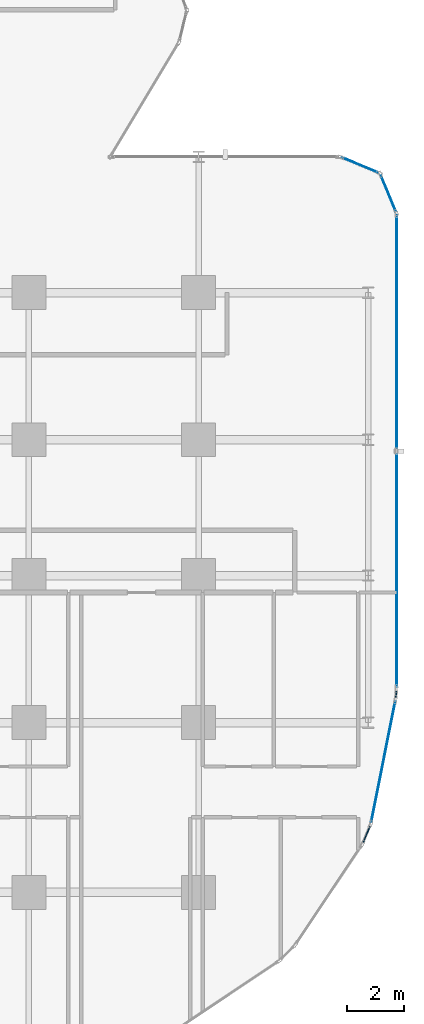
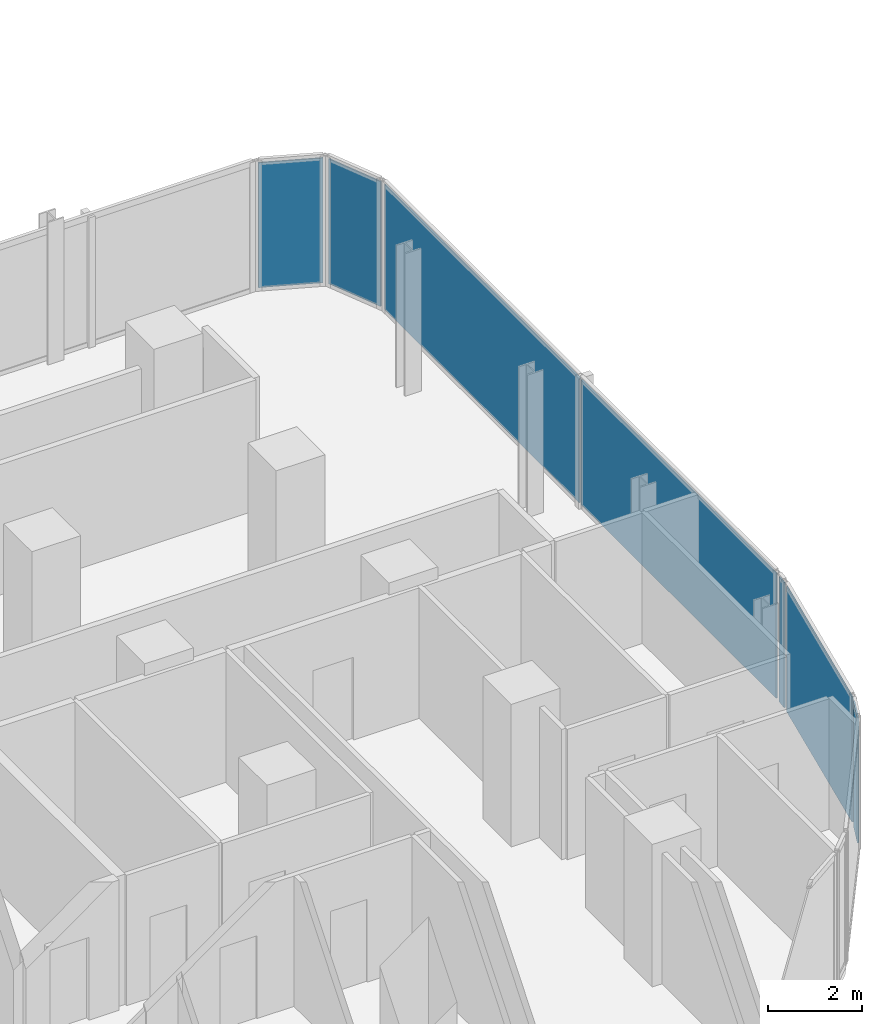
# One storey, part 25 of 34: 7 plates, 6 elements without a shape of their own.
"""IFC4 building model written with IfcOpenShell, lengths in metres."""

from ifc_helpers import new_model, si_unit, direction, frame, origin, origin_2d, place, context, subcontext, project, spatial, rectangle, extrude, material, layer, layer_set, type_object, element, aggregate, save


model = new_model("IFC4")

# Units and contexts
model_context = context("Model", 3, precision=1e-05, world=origin(), true_north=direction((0.0, 1.0)))
body_context = subcontext(model_context, "Body", "Model", "MODEL_VIEW")
ifc_project = project(units=[si_unit("LENGTHUNIT", "METRE"), si_unit("AREAUNIT", "SQUARE_METRE"), si_unit("VOLUMEUNIT", "CUBIC_METRE"), si_unit("PLANEANGLEUNIT", "RADIAN"), si_unit("MASSUNIT", "GRAM", prefix="KILO")], contexts=[model_context])

# Site, building, storey
site_placement = place(None, origin())
site = spatial("IfcSite", under=ifc_project, at=site_placement, CompositionType="ELEMENT")
building_placement = place(site_placement, origin())
building = spatial("IfcBuilding", under=site, at=building_placement, Name="Keshet Zoharim Tower", CompositionType="ELEMENT")
storey_placement = place(building_placement, frame((0.0, 0.0, 53.60009765625)))
storey = spatial("IfcBuildingStorey", under=building, at=storey_placement, Name="L12", CompositionType="ELEMENT", Elevation=53.60009765625)

# Curtain wall, plate
ifc_material_1 = material(Name="Aluminium 6063-T6", Category="aluminium")
ifc_layer_1 = layer(ifc_material_1, 0.179931640625)
ifc_layer_set_1 = layer_set([ifc_layer_1], Name="Aluminium 6063-T6")
curtain_wall_type_1 = type_object("IfcCurtainWallType", Name="CW-SYS-01", PredefinedType="NOTDEFINED", material=ifc_layer_set_1)
curtain_wall_1_placement = place(storey_placement, origin())
curtain_wall_1 = element("IfcCurtainWall", 1, at=curtain_wall_1_placement, inside=storey, type_object=curtain_wall_type_1, Name="L12 Unitised Curtain Wall 19", PredefinedType="NOTDEFINED")
ifc_material_2 = material(Name="Insulated Low-E Clear Glass", Category="glass")
ifc_layer_2 = layer(ifc_material_2, 0.035888671875)
ifc_layer_set_2 = layer_set([ifc_layer_2], Name="Insulated Low-E Clear Glass")
plate_type_1 = type_object("IfcPlateType", Name="CWP-01", PredefinedType="CURTAIN_PANEL", material=ifc_layer_set_2)
plate_1_placement = place(storey_placement, frame((68.9384765625, 8.75439453125, 0.06982421875), z_axis=(0.0, 0.0, 1.0), x_axis=(-0.383068349739, -0.923720000557, 0.0)))
plate_1 = element("IfcPlate", 2, at=plate_1_placement, type_object=plate_type_1, Name="CW-01 panel 1.1", PredefinedType="CURTAIN_PANEL", context=body_context, shape_type="SweptSolid", body=[
    extrude(rectangle(XDim=0.640625, YDim=0.035888671875, at=origin_2d()), origin(), (0.0, 0.0, 1.0), 3.2451171875),
])
aggregate(curtain_wall_1, [plate_1])

ifc_layer_3 = layer(ifc_material_1, 0.169921875)
ifc_layer_set_3 = layer_set([ifc_layer_3], Name="Aluminium 6063-T6")
curtain_wall_type_2 = type_object("IfcCurtainWallType", Name="CW-SYS-02", PredefinedType="NOTDEFINED", material=ifc_layer_set_3)
curtain_wall_2_placement = place(storey_placement, origin())
curtain_wall_2 = element("IfcCurtainWall", 3, at=curtain_wall_2_placement, inside=storey, type_object=curtain_wall_type_2, Name="L12 Unitised Curtain Wall 14", PredefinedType="NOTDEFINED")
ifc_layer_4 = layer(ifc_material_2, 0.031982421875)
ifc_layer_set_4 = layer_set([ifc_layer_4], Name="Insulated Low-E Clear Glass")
plate_type_2 = type_object("IfcPlateType", Name="CWP-02", PredefinedType="CURTAIN_PANEL", material=ifc_layer_set_4)
plate_2_placement = place(storey_placement, frame((68.70703125, 32.406982421875, 0.06982421875), z_axis=(0.0, 0.0, 1.0), x_axis=(0.92380975372, -0.382851849847, 0.0)))
plate_2 = element("IfcPlate", 4, at=plate_2_placement, type_object=plate_type_2, Name="CW-02 panel 1.1", PredefinedType="CURTAIN_PANEL", context=body_context, shape_type="SweptSolid", body=[
    extrude(rectangle(XDim=1.390625, YDim=0.031982421875, at=origin_2d()), origin(), (0.0, 0.0, 1.0), 3.2451171875),
])
aggregate(curtain_wall_2, [plate_2])

curtain_wall_3_placement = place(storey_placement, origin())
curtain_wall_3 = element("IfcCurtainWall", 5, at=curtain_wall_3_placement, inside=storey, type_object=curtain_wall_type_2, Name="L12 Unitised Curtain Wall 15", PredefinedType="NOTDEFINED")
plate_3_placement = place(storey_placement, frame((69.70703125, 31.406982421875, 0.06982421875), z_axis=(0.0, 0.0, 1.0), x_axis=(0.382851849847, -0.92380975372, 0.0)))
plate_3 = element("IfcPlate", 6, at=plate_3_placement, type_object=plate_type_2, Name="CW-02 panel 1.1", PredefinedType="CURTAIN_PANEL", context=body_context, shape_type="SweptSolid", body=[
    extrude(rectangle(XDim=1.390625, YDim=0.031982421875, at=origin_2d()), origin(), (0.0, 0.0, 1.0), 3.2451171875),
])
aggregate(curtain_wall_3, [plate_3])

# Curtain wall, plates
curtain_wall_4_placement = place(storey_placement, origin())
curtain_wall_4 = element("IfcCurtainWall", 7, at=curtain_wall_4_placement, inside=storey, type_object=curtain_wall_type_2, Name="L12 Unitised Curtain Wall 16", PredefinedType="NOTDEFINED")
plate_4_placement = place(storey_placement, frame((70.0, 26.481689453125, 0.06982421875), z_axis=(0.0, 0.0, 1.0), x_axis=(0.0, -1.0, 0.0)))
plate_4 = element("IfcPlate", 8, at=plate_4_placement, type_object=plate_type_2, Name="CW-02 panel 1.1", PredefinedType="CURTAIN_PANEL", context=body_context, shape_type="SweptSolid", body=[
    extrude(rectangle(XDim=8.29638671875, YDim=0.031982421875, at=origin_2d()), origin(), (0.0, 0.0, 1.0), 3.2451171875),
])
plate_5_placement = place(storey_placement, frame((70.0, 18.115234375, 0.06982421875), z_axis=(0.0, 0.0, 1.0), x_axis=(0.0, -1.0, 0.0)))
plate_5 = element("IfcPlate", 9, at=plate_5_placement, type_object=plate_type_2, Name="CW-02 panel 2.1", PredefinedType="CURTAIN_PANEL", context=body_context, shape_type="SweptSolid", body=[
    extrude(rectangle(XDim=8.29638671875, YDim=0.031982421875, at=origin_2d()), origin(), (0.0, 0.0, 1.0), 3.2451171875),
])
aggregate(curtain_wall_4, [plate_4, plate_5])

# Curtain wall, plate
curtain_wall_5_placement = place(storey_placement, origin())
curtain_wall_5 = element("IfcCurtainWall", 10, at=curtain_wall_5_placement, inside=storey, type_object=curtain_wall_type_2, Name="L12 Unitised Curtain Wall 17", PredefinedType="NOTDEFINED")
plate_6_placement = place(storey_placement, frame((69.98095703125, 13.701904296875, 0.06982421875), z_axis=(0.0, 0.0, 1.0), x_axis=(-0.096976648633, -0.995286657009, 0.0)))
plate_6 = element("IfcPlate", 11, at=plate_6_placement, type_object=plate_type_2, Name="CW-02 panel 1.1", PredefinedType="CURTAIN_PANEL", context=body_context, shape_type="SweptSolid", body=[
    extrude(rectangle(XDim=0.251953125, YDim=0.031982421875, at=origin_2d()), origin(), (0.0, 0.0, 1.0), 3.2451171875),
])
aggregate(curtain_wall_5, [plate_6])

curtain_wall_6_placement = place(storey_placement, origin())
curtain_wall_6 = element("IfcCurtainWall", 12, at=curtain_wall_6_placement, inside=storey, type_object=curtain_wall_type_2, Name="L12 Unitised Curtain Wall 18", PredefinedType="NOTDEFINED")
plate_7_placement = place(storey_placement, frame((69.52490234375, 11.31103515625, 0.06982421875), z_axis=(0.0, 0.0, 1.0), x_axis=(-0.195171279072, -0.98076917357, 0.0)))
plate_7 = element("IfcPlate", 13, at=plate_7_placement, type_object=plate_type_2, Name="CW-02 panel 1.1", PredefinedType="CURTAIN_PANEL", context=body_context, shape_type="SweptSolid", body=[
    extrude(rectangle(XDim=4.338134765625, YDim=0.031982421875, at=origin_2d()), origin(), (0.0, 0.0, 1.0), 3.2451171875),
])
aggregate(curtain_wall_6, [plate_7])

save(model, "model.ifc")
